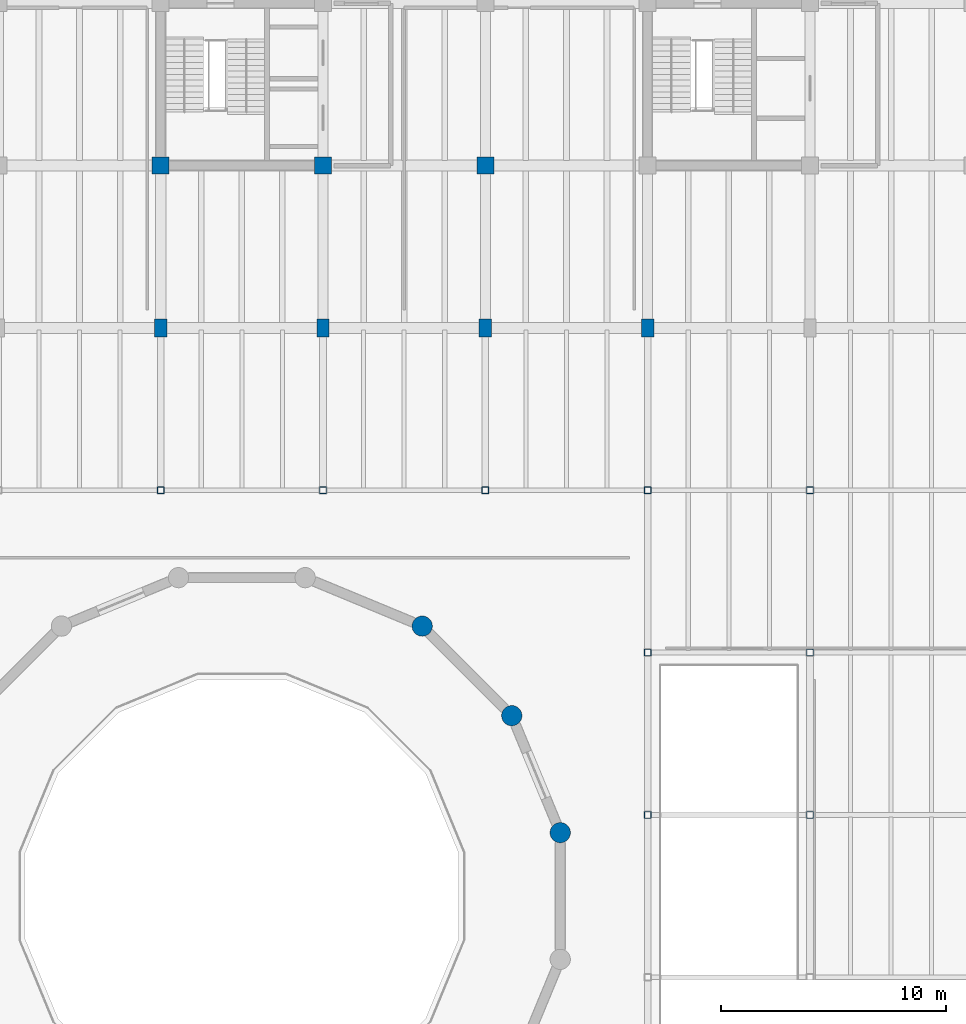
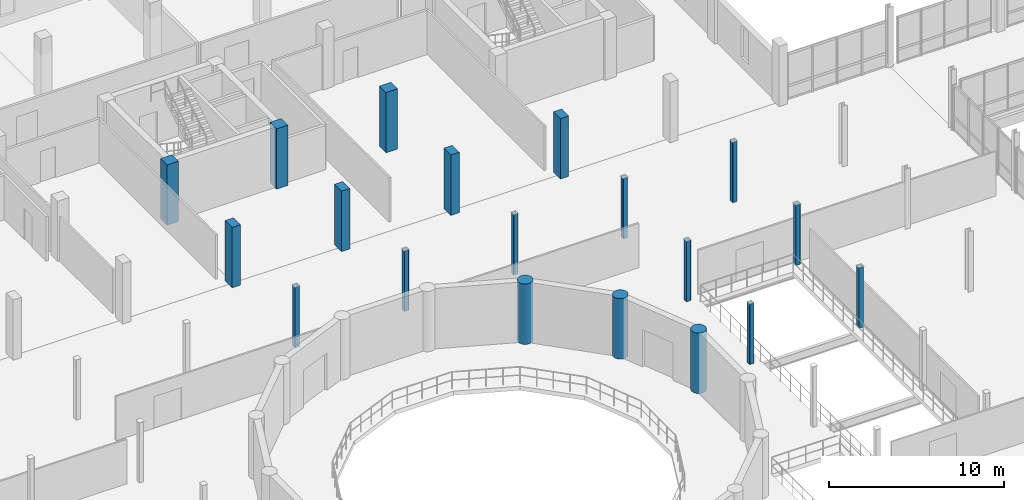
# One storey, part 12 of 72: 19 columns.
"""IFC4 building model written with IfcOpenShell, lengths in metres."""

from ifc_helpers import new_model, si_unit, direction, frame, origin, origin_2d, place, context, subcontext, project, spatial, rectangle, hollow_rectangle, circle, extrude, material, material_profile, profile_set, type_object, element, save


model = new_model("IFC4")

# Units and contexts
model_context = context("Model", 3, precision=1e-05, world=origin(), true_north=direction((0.0, 1.0)))
body_context = subcontext(model_context, "Body", "Model", "MODEL_VIEW")
ifc_project = project(units=[si_unit("LENGTHUNIT", "METRE"), si_unit("AREAUNIT", "SQUARE_METRE"), si_unit("VOLUMEUNIT", "CUBIC_METRE"), si_unit("PLANEANGLEUNIT", "RADIAN"), si_unit("MASSUNIT", "GRAM", prefix="KILO")], contexts=[model_context])

# Site, building, storey
site_placement = place(None, origin())
site = spatial("IfcSite", under=ifc_project, at=site_placement, CompositionType="ELEMENT")
building_placement = place(site_placement, origin())
building = spatial("IfcBuilding", under=site, at=building_placement, Name="Qiaolan Assembly House", CompositionType="ELEMENT")
storey_placement = place(building_placement, frame((0.0, 0.0, 10.199951171875)))
storey = spatial("IfcBuildingStorey", under=building, at=storey_placement, Name="L02", CompositionType="ELEMENT", Elevation=10.199951171875)

# Columns
ifc_material_1 = material(Name="Concrete C50/60", Category="concrete")
ifc_material_profile_1 = material_profile(ifc_material_1, circle(Radius=0.449951171875, at=origin_2d()), Name="CIRC D900")
ifc_profile_set_1 = profile_set([ifc_material_profile_1], Name="Concrete C50/60")
column_type_1 = type_object("IfcColumnType", Name="COL-DRUM-D900", PredefinedType="COLUMN", material=ifc_profile_set_1)
for number, where, z_axis, x_axis, name in (
    (1, (82.523193359375, 64.00927734375, 0.0), (0.0, 0.0, 1.0), (1.0, 0.0, 0.0), "DC-03 chamber drum pier 1 L02"),
    (2, (80.373046875, 69.2001953125, 0.0), (0.0, 0.0, 1.0), (1.0, 0.0, 0.0), "DC-03 chamber drum pier 2 L02"),
    (3, (76.400146484375, 73.173095703125, 0.0), (0.0, 0.0, 1.0), (1.0, 0.0, 0.0), "DC-03 chamber drum pier 3 L02"),
):
    element("IfcColumn", number, at=place(storey_placement, frame(where, z_axis=z_axis, x_axis=x_axis)), inside=storey, type_object=column_type_1, Name=name, PredefinedType="COLUMN", context=body_context, shape_type="SweptSolid", body=[
        extrude(circle(Radius=0.449951171875, at=origin_2d()), origin(), (0.0, 0.0, 1.0), 4.199951171875),
    ])
ifc_material_2 = material(Name="Concrete C45/55", Category="concrete")
ifc_material_profile_2 = material_profile(ifc_material_2, rectangle(XDim=0.75, YDim=0.75, at=origin_2d()), Name="RC 750x750")
ifc_profile_set_2 = profile_set([ifc_material_profile_2], Name="Concrete C45/55")
column_type_2 = type_object("IfcColumnType", Name="COL-RC-750", PredefinedType="COLUMN", material=ifc_profile_set_2)
for number, where, z_axis, x_axis, name in (
    (4, (64.800048828125, 93.60009765625, 0.0), (0.0, 0.0, 1.0), (1.0, 0.0, 0.0), "RC-06 column NW L02"),
    (5, (72.0, 93.60009765625, 0.0), (0.0, 0.0, 1.0), (1.0, 0.0, 0.0), "RC-06 column NW L02"),
    (6, (79.199951171875, 93.60009765625, 0.0), (0.0, 0.0, 1.0), (1.0, 0.0, 0.0), "RC-06 column NW L02"),
):
    element("IfcColumn", number, at=place(storey_placement, frame(where, z_axis=z_axis, x_axis=x_axis)), inside=storey, type_object=column_type_2, Name=name, PredefinedType="COLUMN", context=body_context, shape_type="SweptSolid", body=[
        extrude(rectangle(XDim=0.75, YDim=0.75, at=origin_2d()), origin(), (0.0, 0.0, 1.0), 4.199951171875),
    ])
ifc_material_profile_3 = material_profile(ifc_material_2, rectangle(XDim=0.550048828125, YDim=0.800048828125, at=origin_2d()), Name="RC 800x550")
ifc_profile_set_3 = profile_set([ifc_material_profile_3], Name="Concrete C45/55")
column_type_3 = type_object("IfcColumnType", Name="COL-RC-800x550", PredefinedType="COLUMN", material=ifc_profile_set_3)
for number, where, z_axis, x_axis, name in (
    (7, (64.800048828125, 86.39990234375, 0.0), (0.0, 0.0, 1.0), (1.0, 0.0, 0.0), "RC-14 column NW L02"),
    (8, (72.0, 86.39990234375, 0.0), (0.0, 0.0, 1.0), (1.0, 0.0, 0.0), "RC-14 column NW L02"),
    (9, (79.199951171875, 86.39990234375, 0.0), (0.0, 0.0, 1.0), (1.0, 0.0, 0.0), "RC-14 column NW L02"),
    (10, (86.39990234375, 86.39990234375, 0.0), (0.0, 0.0, 1.0), (1.0, 0.0, 0.0), "RC-14 column NW L02"),
):
    element("IfcColumn", number, at=place(storey_placement, frame(where, z_axis=z_axis, x_axis=x_axis)), inside=storey, type_object=column_type_3, Name=name, PredefinedType="COLUMN", context=body_context, shape_type="SweptSolid", body=[
        extrude(rectangle(XDim=0.550048828125, YDim=0.800048828125, at=origin_2d()), origin(), (0.0, 0.0, 1.0), 4.199951171875),
    ])
ifc_material_3 = material(Name="Steel Q355B", Category="steel")
ifc_material_profile_4 = material_profile(ifc_material_3, hollow_rectangle(XDim=0.300048828125, YDim=0.300048828125, WallThickness=0.011962890625, InnerFilletRadius=0.011962890625, OuterFilletRadius=0.02392578125, at=origin_2d()), Name="SHS 300x300x12")
ifc_profile_set_4 = profile_set([ifc_material_profile_4], Name="Steel Q355B")
column_type_4 = type_object("IfcColumnType", Name="COL-STL-SHS300", PredefinedType="COLUMN", material=ifc_profile_set_4)
for number, where, z_axis, x_axis, name in (
    (11, (64.800048828125, 79.199951171875, 0.0), (0.0, 0.0, 1.0), (1.0, 0.0, 0.0), "SC-05 hall column L02"),
    (12, (72.0, 79.199951171875, 0.0), (0.0, 0.0, 1.0), (1.0, 0.0, 0.0), "SC-05 hall column L02"),
    (13, (79.199951171875, 79.199951171875, 0.0), (0.0, 0.0, 1.0), (1.0, 0.0, 0.0), "SC-05 hall column L02"),
    (14, (86.39990234375, 64.800048828125, 0.0), (0.0, 0.0, 1.0), (1.0, 0.0, 0.0), "SC-05 hall column L02"),
    (15, (86.39990234375, 72.0, 0.0), (0.0, 0.0, 1.0), (1.0, 0.0, 0.0), "SC-05 hall column L02"),
    (16, (86.39990234375, 79.199951171875, 0.0), (0.0, 0.0, 1.0), (1.0, 0.0, 0.0), "SC-05 hall column L02"),
    (17, (93.60009765625, 64.800048828125, 0.0), (0.0, 0.0, 1.0), (1.0, 0.0, 0.0), "SC-05 hall column L02"),
    (18, (93.60009765625, 72.0, 0.0), (0.0, 0.0, 1.0), (1.0, 0.0, 0.0), "SC-05 hall column L02"),
    (19, (93.60009765625, 79.199951171875, 0.0), (0.0, 0.0, 1.0), (1.0, 0.0, 0.0), "SC-05 hall column L02"),
):
    element("IfcColumn", number, at=place(storey_placement, frame(where, z_axis=z_axis, x_axis=x_axis)), inside=storey, type_object=column_type_4, Name=name, PredefinedType="COLUMN", context=body_context, shape_type="SweptSolid", body=[
        extrude(hollow_rectangle(XDim=0.300048828125, YDim=0.300048828125, WallThickness=0.011962890625, InnerFilletRadius=0.011962890625, OuterFilletRadius=0.02392578125, at=origin_2d()), origin(), (0.0, 0.0, 1.0), 4.199951171875),
    ])

save(model, "model.ifc")
